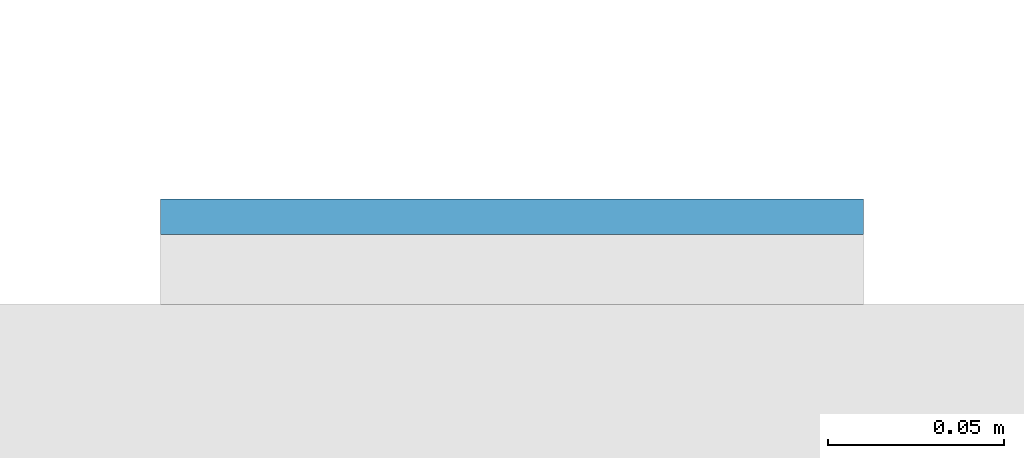
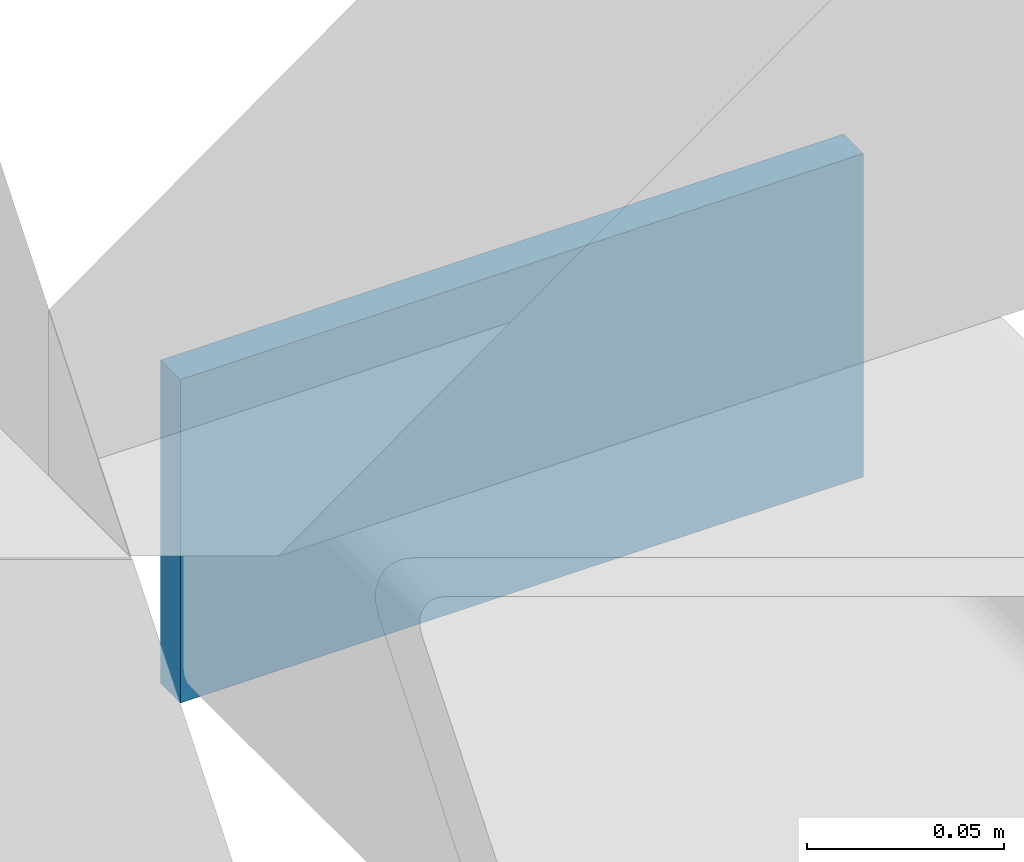
# One storey, part 11 of 20: 1 plate.
"""IFC4 building model written with IfcOpenShell, lengths in metres."""

from ifc_helpers import new_model, si_unit, direction, frame, origin, origin_2d, place, context, subcontext, project, spatial, rectangle, extrude, material, layer, layer_set, type_object, element, save


model = new_model("IFC4")

# Units and contexts
model_context = context("Model", 3, precision=1e-05, world=origin(), true_north=direction((0.0, 1.0)))
body_context = subcontext(model_context, "Body", "Model", "MODEL_VIEW")
ifc_project = project(units=[si_unit("LENGTHUNIT", "METRE"), si_unit("AREAUNIT", "SQUARE_METRE"), si_unit("VOLUMEUNIT", "CUBIC_METRE"), si_unit("PLANEANGLEUNIT", "RADIAN"), si_unit("MASSUNIT", "GRAM", prefix="KILO")], contexts=[model_context])

# Site, building, storey
site_placement = place(None, origin())
site = spatial("IfcSite", under=ifc_project, at=site_placement, CompositionType="ELEMENT")
building_placement = place(site_placement, origin())
building = spatial("IfcBuilding", under=site, at=building_placement, Name="Cleftline Residences", CompositionType="ELEMENT")
storey_placement = place(building_placement, frame((0.0, 0.0, 117.800048828125)))
storey = spatial("IfcBuildingStorey", under=building, at=storey_placement, Name="L30", CompositionType="ELEMENT", Elevation=117.800048828125)

# Plate
ifc_material = material(Name="Steel S355, hot-dip galvanised", Category="steel")
ifc_layer = layer(ifc_material, 0.010009765625)
ifc_layer_set = layer_set([ifc_layer], Name="BAGUETTE CARRIER END PLATE 200X100X10")
plate_type = type_object("IfcPlateType", Name="BAGUETTE CARRIER END PLATE 200X100X10", PredefinedType="USERDEFINED", material=ifc_layer_set)
plate_placement = place(storey_placement, frame((66.85009765625, 44.304931640625, -0.10009765625), z_axis=(0.0, 0.0, 1.0), x_axis=(1.0, 0.0, 0.0)))
element("IfcPlate", 1, at=plate_placement, inside=storey, type_object=plate_type, Name="Baguette carrier end plate", ObjectType="BAGUETTE CARRIER END PLATE", PredefinedType="USERDEFINED", context=body_context, shape_type="SweptSolid", body=[
    extrude(rectangle(XDim=0.199951171875, YDim=0.010009765625, at=origin_2d()), origin(), (0.0, 0.0, 1.0), 0.10009765625),
])

save(model, "model.ifc")
